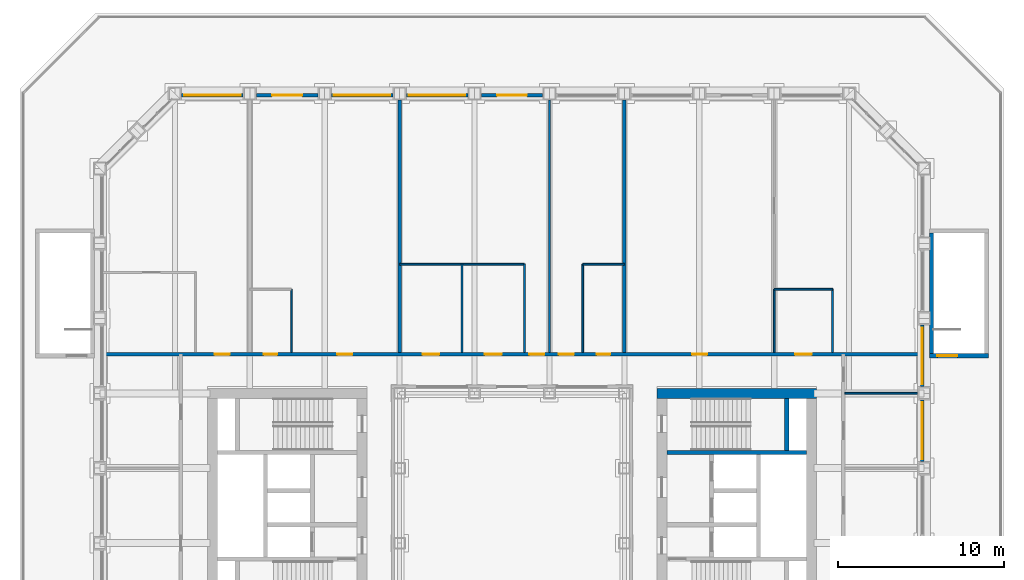
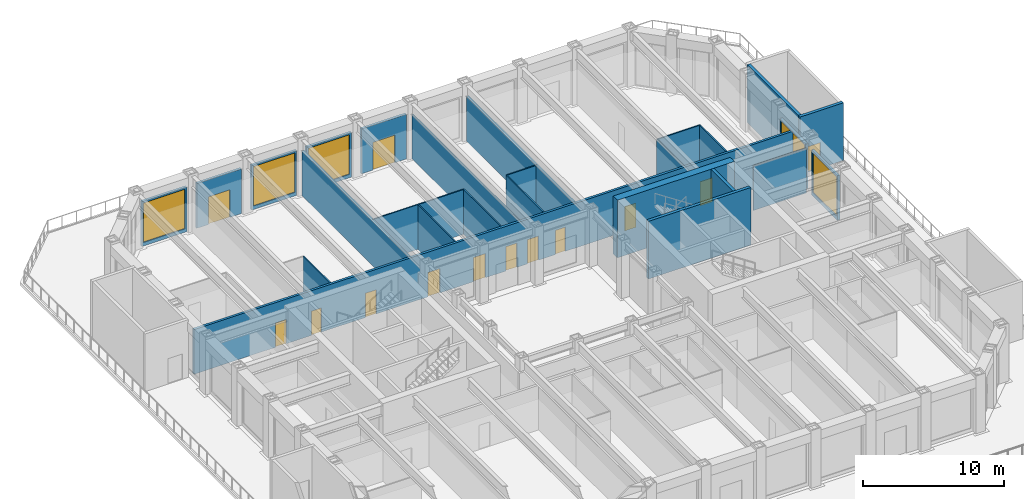
# One storey, part 13 of 18: 26 walls, 13 doors, 5 windows, 18 openings.
"""IFC4 building model written with IfcOpenShell, lengths in metres."""

from ifc_helpers import new_model, si_unit, direction, frame, frame_2d, origin, place, context, subcontext, project, spatial, rectangle, extrude, material, layer, layer_set, type_object, element, fill, save


model = new_model("IFC4")

# Units and contexts
model_context = context("Model", 3, precision=1e-05, world=origin(), true_north=direction((0.0, 1.0)))
body_context = subcontext(model_context, "Body", "Model", "MODEL_VIEW")
ifc_project = project(units=[si_unit("LENGTHUNIT", "METRE"), si_unit("AREAUNIT", "SQUARE_METRE"), si_unit("VOLUMEUNIT", "CUBIC_METRE"), si_unit("PLANEANGLEUNIT", "RADIAN"), si_unit("MASSUNIT", "GRAM", prefix="KILO")], contexts=[model_context])

# Site, building, storey
site_placement = place(None, origin())
site = spatial("IfcSite", under=ifc_project, at=site_placement, CompositionType="ELEMENT")
building_placement = place(site_placement, origin())
building = spatial("IfcBuilding", under=site, at=building_placement, Name="Msasa Ring Tower", CompositionType="ELEMENT")
storey_placement = place(building_placement, frame((0.0, 0.0, 21.5)))
storey = spatial("IfcBuildingStorey", under=building, at=storey_placement, Name="L04", CompositionType="ELEMENT", Elevation=21.5)

# Walls
ifc_material_1 = material(Name="Concrete C60/75", Category="concrete")
ifc_layer_1 = layer(ifc_material_1, 0.60009765625)
ifc_layer_set_1 = layer_set([ifc_layer_1], Name="CW1 CORE WALL 600")
wall_type_1 = type_object("IfcWallType", Name="CW1 CORE WALL 600", PredefinedType="SHEAR", material=ifc_layer_set_1)
wall_1_placement = place(storey_placement, frame((8.699951171875, 6.75, 0.0), z_axis=(0.0, 0.0, 1.0), x_axis=(1.0, 0.0, 0.0)))
element("IfcWall", 1, at=wall_1_placement, inside=storey, type_object=wall_type_1, Name="E core wall N L04", PredefinedType="SHEAR", context=body_context, shape_type="SweptSolid", body=[
    extrude(rectangle(XDim=9.60009765625, YDim=0.60009765625, at=frame_2d((4.800048828125, 0.0))), origin(), (0.0, 0.0, 1.0), 5.0),
])
ifc_material_2 = material(Name="Concrete C60/75", Category="concrete")
ifc_layer_2 = layer(ifc_material_2, 0.25)
ifc_layer_set_2 = layer_set([ifc_layer_2], Name="CW4 CORE INNER WALL 250")
wall_type_2 = type_object("IfcWallType", Name="CW4 CORE INNER WALL 250", PredefinedType="SHEAR", material=ifc_layer_set_2)
wall_2_placement = place(storey_placement, frame((9.300048828125, 3.199951171875, 0.0), z_axis=(0.0, 0.0, 1.0), x_axis=(1.0, 0.0, 0.0)))
element("IfcWall", 2, at=wall_2_placement, inside=storey, type_object=wall_type_2, Name="E core wall STAIRB L04", PredefinedType="SHEAR", context=body_context, shape_type="SweptSolid", body=[
    extrude(rectangle(XDim=8.39990234375, YDim=0.25, at=frame_2d((4.199951171875, 0.0))), origin(), (0.0, 0.0, 1.0), 5.0),
])
wall_3_placement = place(storey_placement, frame((16.5, 3.324951171875, 0.0), z_axis=(0.0, 0.0, 1.0), x_axis=(0.0, 1.0, 0.0)))
element("IfcWall", 3, at=wall_3_placement, inside=storey, type_object=wall_type_2, Name="E core wall RISERB L04", PredefinedType="SHEAR", context=body_context, shape_type="SweptSolid", body=[
    extrude(rectangle(XDim=3.125, YDim=0.25, at=frame_2d((1.5625, 0.0))), origin(), (0.0, 0.0, 1.0), 5.0),
])

# Wall, opening, window
ifc_material_3 = material(Name="Terracotta rainscreen on blockwork", Category="masonry")
ifc_layer_3 = layer(ifc_material_3, 0.199951171875)
ifc_layer_set_3 = layer_set([ifc_layer_3], Name="FW1 TERRACOTTA-LINED INFILL BAY WALL 200")
wall_type_3 = type_object("IfcWallType", Name="FW1 TERRACOTTA-LINED INFILL BAY WALL 200", PredefinedType="SOLIDWALL", material=ifc_layer_set_3)
wall_4_placement = place(storey_placement, frame((24.64990234375, 2.655029296875, 0.0), z_axis=(0.0, 0.0, 1.0), x_axis=(0.0, 1.0, 0.0)))
wall_4 = element("IfcWall", 4, at=wall_4_placement, inside=storey, type_object=wall_type_3, Name="Infill bay wall E L04 16", PredefinedType="SOLIDWALL", context=body_context, shape_type="SweptSolid", body=[
    extrude(rectangle(XDim=3.68994140625, YDim=0.199951171875, at=frame_2d((1.844970703125, 0.0))), origin(), (0.0, 0.0, 1.0), 3.87890625),
])
opening_1_placement = place(wall_4_placement, frame((0.14501953125, 0.0, 0.300048828125)))
opening_1 = element("IfcOpeningElement", 5, at=opening_1_placement, cuts=wall_4, Name="Opening WN4", PredefinedType="OPENING", context=body_context, shape_type="SweptSolid", body=[
    extrude(rectangle(XDim=3.39990234375, YDim=3.428955078125, at=frame_2d((1.699951171875, 1.71435546875))), frame((0.0, 0.10986328125, 0.0), z_axis=(0.0, -1.0, 0.0), x_axis=(1.0, 0.0, 0.0)), (0.0, 0.0, 1.0), 0.219970703125),
])
ifc_material_4 = material(Name="Aluminium frame with clear glass", Category="aluminium")
window_type = type_object("IfcWindowType", Name="WN4 AMENITY WINDOW 3400x3429", PartitioningType="SINGLE_PANEL", PredefinedType="WINDOW", material=ifc_material_4)
window_1_placement = place(opening_1_placement, origin())
window_1 = element("IfcWindow", 6, at=window_1_placement, inside=storey, type_object=window_type, Name="Window E L04 16", OverallHeight=3.428955078125, OverallWidth=3.39990234375, PartitioningType="SINGLE_PANEL", PredefinedType="WINDOW", context=body_context, shape_type="SweptSolid", body=[
    extrude(rectangle(XDim=3.39990234375, YDim=3.428955078125, at=frame_2d((1.699951171875, 1.71435546875))), frame((0.0, 0.030029296875, 0.0), z_axis=(0.0, -1.0, 0.0), x_axis=(1.0, 0.0, 0.0)), (0.0, 0.0, 1.0), 0.06005859375),
])
fill(opening_1, window_1)

wall_5_placement = place(storey_placement, frame((24.64990234375, 7.155029296875, 0.0), z_axis=(0.0, 0.0, 1.0), x_axis=(0.0, 1.0, 0.0)))
wall_5 = element("IfcWall", 7, at=wall_5_placement, inside=storey, type_object=wall_type_3, Name="Infill bay wall E L04 17", PredefinedType="SOLIDWALL", context=body_context, shape_type="SweptSolid", body=[
    extrude(rectangle(XDim=3.68994140625, YDim=0.199951171875, at=frame_2d((1.844970703125, 0.0))), origin(), (0.0, 0.0, 1.0), 3.87890625),
])
opening_2_placement = place(wall_5_placement, frame((0.14501953125, 0.0, 0.300048828125)))
opening_2 = element("IfcOpeningElement", 8, at=opening_2_placement, cuts=wall_5, Name="Opening WN4", PredefinedType="OPENING", context=body_context, shape_type="SweptSolid", body=[
    extrude(rectangle(XDim=3.39990234375, YDim=3.428955078125, at=frame_2d((1.699951171875, 1.71435546875))), frame((0.0, 0.10986328125, 0.0), z_axis=(0.0, -1.0, 0.0), x_axis=(1.0, 0.0, 0.0)), (0.0, 0.0, 1.0), 0.219970703125),
])
window_2_placement = place(opening_2_placement, origin())
window_2 = element("IfcWindow", 9, at=window_2_placement, inside=storey, type_object=window_type, Name="Window E L04 17", OverallHeight=3.428955078125, OverallWidth=3.39990234375, PartitioningType="SINGLE_PANEL", PredefinedType="WINDOW", context=body_context, shape_type="SweptSolid", body=[
    extrude(rectangle(XDim=3.39990234375, YDim=3.428955078125, at=frame_2d((1.699951171875, 1.71435546875))), frame((0.0, 0.030029296875, 0.0), z_axis=(0.0, -1.0, 0.0), x_axis=(1.0, 0.0, 0.0)), (0.0, 0.0, 1.0), 0.06005859375),
])
fill(opening_2, window_2)

wall_6_placement = place(storey_placement, frame((-19.844970703125, 24.64990234375, 0.0), z_axis=(0.0, 0.0, 1.0), x_axis=(1.0, 0.0, 0.0)))
wall_6 = element("IfcWall", 10, at=wall_6_placement, inside=storey, type_object=wall_type_3, Name="Infill bay wall N L04 22", PredefinedType="SOLIDWALL", context=body_context, shape_type="SweptSolid", body=[
    extrude(rectangle(XDim=3.68994140625, YDim=0.199951171875, at=frame_2d((1.844970703125, 0.0))), origin(), (0.0, 0.0, 1.0), 3.87890625),
])
opening_3_placement = place(wall_6_placement, frame((0.14501953125, 0.0, 0.300048828125)))
opening_3 = element("IfcOpeningElement", 11, at=opening_3_placement, cuts=wall_6, Name="Opening WN4", PredefinedType="OPENING", context=body_context, shape_type="SweptSolid", body=[
    extrude(rectangle(XDim=3.39990234375, YDim=3.428955078125, at=frame_2d((1.699951171875, 1.71435546875))), frame((0.0, 0.10986328125, 0.0), z_axis=(0.0, -1.0, 0.0), x_axis=(1.0, 0.0, 0.0)), (0.0, 0.0, 1.0), 0.219970703125),
])
window_3_placement = place(opening_3_placement, origin())
window_3 = element("IfcWindow", 12, at=window_3_placement, inside=storey, type_object=window_type, Name="Window N L04 22", OverallHeight=3.428955078125, OverallWidth=3.39990234375, PartitioningType="SINGLE_PANEL", PredefinedType="WINDOW", context=body_context, shape_type="SweptSolid", body=[
    extrude(rectangle(XDim=3.39990234375, YDim=3.428955078125, at=frame_2d((1.699951171875, 1.71435546875))), frame((0.0, 0.030029296875, 0.0), z_axis=(0.0, -1.0, 0.0), x_axis=(1.0, 0.0, 0.0)), (0.0, 0.0, 1.0), 0.06005859375),
])
fill(opening_3, window_3)

# Wall, opening, door
wall_7_placement = place(storey_placement, frame((-15.344970703125, 24.64990234375, 0.0), z_axis=(0.0, 0.0, 1.0), x_axis=(1.0, 0.0, 0.0)))
wall_7 = element("IfcWall", 13, at=wall_7_placement, inside=storey, type_object=wall_type_3, Name="Infill bay wall N L04 23", PredefinedType="SOLIDWALL", context=body_context, shape_type="SweptSolid", body=[
    extrude(rectangle(XDim=3.68994140625, YDim=0.199951171875, at=frame_2d((1.844970703125, 0.0))), origin(), (0.0, 0.0, 1.0), 3.87890625),
])
opening_4_placement = place(wall_7_placement, frame((0.945068359375, 0.0, 0.0)))
opening_4 = element("IfcOpeningElement", 14, at=opening_4_placement, cuts=wall_7, Name="Opening L04-001", PredefinedType="OPENING", context=body_context, shape_type="SweptSolid", body=[
    extrude(rectangle(XDim=1.800048828125, YDim=2.39990234375, at=frame_2d((0.89990234375, 1.199951171875))), frame((0.0, 0.10986328125, 0.0), z_axis=(0.0, -1.0, 0.0), x_axis=(1.0, 0.0, 0.0)), (0.0, 0.0, 1.0), 0.219970703125),
])
ifc_material_5 = material(Name="Aluminium frame with clear glass", Category="aluminium")
door_type_1 = type_object("IfcDoorType", Name="ED1 TERRACE DOOR 1800x2400", OperationType="DOUBLE_DOOR_SINGLE_SWING", PredefinedType="DOOR", material=ifc_material_5)
door_1_placement = place(opening_4_placement, origin())
door_1 = element("IfcDoor", 15, at=door_1_placement, inside=storey, type_object=door_type_1, Name="Terrace door N L04", OperationType="DOUBLE_DOOR_SINGLE_SWING", OverallHeight=2.39990234375, OverallWidth=1.800048828125, PredefinedType="DOOR", context=body_context, shape_type="SweptSolid", body=[
    extrude(rectangle(XDim=1.800048828125, YDim=2.39990234375, at=frame_2d((0.89990234375, 1.199951171875))), frame((0.0, 0.02490234375, 0.0), z_axis=(0.0, -1.0, 0.0), x_axis=(1.0, 0.0, 0.0)), (0.0, 0.0, 1.0), 0.050048828125),
])
fill(opening_4, door_1)

# Wall, opening, window
wall_8_placement = place(storey_placement, frame((-10.844970703125, 24.64990234375, 0.0), z_axis=(0.0, 0.0, 1.0), x_axis=(1.0, 0.0, 0.0)))
wall_8 = element("IfcWall", 16, at=wall_8_placement, inside=storey, type_object=wall_type_3, Name="Infill bay wall N L04 24", PredefinedType="SOLIDWALL", context=body_context, shape_type="SweptSolid", body=[
    extrude(rectangle(XDim=3.68994140625, YDim=0.199951171875, at=frame_2d((1.844970703125, 0.0))), origin(), (0.0, 0.0, 1.0), 3.87890625),
])
opening_5_placement = place(wall_8_placement, frame((0.14501953125, 0.0, 0.300048828125)))
opening_5 = element("IfcOpeningElement", 17, at=opening_5_placement, cuts=wall_8, Name="Opening WN4", PredefinedType="OPENING", context=body_context, shape_type="SweptSolid", body=[
    extrude(rectangle(XDim=3.39990234375, YDim=3.428955078125, at=frame_2d((1.699951171875, 1.71435546875))), frame((0.0, 0.10986328125, 0.0), z_axis=(0.0, -1.0, 0.0), x_axis=(1.0, 0.0, 0.0)), (0.0, 0.0, 1.0), 0.219970703125),
])
window_4_placement = place(opening_5_placement, origin())
window_4 = element("IfcWindow", 18, at=window_4_placement, inside=storey, type_object=window_type, Name="Window N L04 24", OverallHeight=3.428955078125, OverallWidth=3.39990234375, PartitioningType="SINGLE_PANEL", PredefinedType="WINDOW", context=body_context, shape_type="SweptSolid", body=[
    extrude(rectangle(XDim=3.39990234375, YDim=3.428955078125, at=frame_2d((1.699951171875, 1.71435546875))), frame((0.0, 0.030029296875, 0.0), z_axis=(0.0, -1.0, 0.0), x_axis=(1.0, 0.0, 0.0)), (0.0, 0.0, 1.0), 0.06005859375),
])
fill(opening_5, window_4)

wall_9_placement = place(storey_placement, frame((-6.344970703125, 24.64990234375, 0.0), z_axis=(0.0, 0.0, 1.0), x_axis=(1.0, 0.0, 0.0)))
wall_9 = element("IfcWall", 19, at=wall_9_placement, inside=storey, type_object=wall_type_3, Name="Infill bay wall N L04 25", PredefinedType="SOLIDWALL", context=body_context, shape_type="SweptSolid", body=[
    extrude(rectangle(XDim=3.68994140625, YDim=0.199951171875, at=frame_2d((1.844970703125, 0.0))), origin(), (0.0, 0.0, 1.0), 3.87890625),
])
opening_6_placement = place(wall_9_placement, frame((0.14501953125, 0.0, 0.300048828125)))
opening_6 = element("IfcOpeningElement", 20, at=opening_6_placement, cuts=wall_9, Name="Opening WN4", PredefinedType="OPENING", context=body_context, shape_type="SweptSolid", body=[
    extrude(rectangle(XDim=3.39990234375, YDim=3.428955078125, at=frame_2d((1.699951171875, 1.71435546875))), frame((0.0, 0.10986328125, 0.0), z_axis=(0.0, -1.0, 0.0), x_axis=(1.0, 0.0, 0.0)), (0.0, 0.0, 1.0), 0.219970703125),
])
window_5_placement = place(opening_6_placement, origin())
window_5 = element("IfcWindow", 21, at=window_5_placement, inside=storey, type_object=window_type, Name="Window N L04 25", OverallHeight=3.428955078125, OverallWidth=3.39990234375, PartitioningType="SINGLE_PANEL", PredefinedType="WINDOW", context=body_context, shape_type="SweptSolid", body=[
    extrude(rectangle(XDim=3.39990234375, YDim=3.428955078125, at=frame_2d((1.699951171875, 1.71435546875))), frame((0.0, 0.030029296875, 0.0), z_axis=(0.0, -1.0, 0.0), x_axis=(1.0, 0.0, 0.0)), (0.0, 0.0, 1.0), 0.06005859375),
])
fill(opening_6, window_5)

# Wall, opening, door
wall_10_placement = place(storey_placement, frame((-1.844970703125, 24.64990234375, 0.0), z_axis=(0.0, 0.0, 1.0), x_axis=(1.0, 0.0, 0.0)))
wall_10 = element("IfcWall", 22, at=wall_10_placement, inside=storey, type_object=wall_type_3, Name="Infill bay wall N L04 26", PredefinedType="SOLIDWALL", context=body_context, shape_type="SweptSolid", body=[
    extrude(rectangle(XDim=3.68994140625, YDim=0.199951171875, at=frame_2d((1.844970703125, 0.0))), origin(), (0.0, 0.0, 1.0), 3.87890625),
])
opening_7_placement = place(wall_10_placement, frame((0.945068359375, 0.0, 0.0)))
opening_7 = element("IfcOpeningElement", 23, at=opening_7_placement, cuts=wall_10, Name="Opening L04-002", PredefinedType="OPENING", context=body_context, shape_type="SweptSolid", body=[
    extrude(rectangle(XDim=1.800048828125, YDim=2.39990234375, at=frame_2d((0.89990234375, 1.199951171875))), frame((0.0, 0.10986328125, 0.0), z_axis=(0.0, -1.0, 0.0), x_axis=(1.0, 0.0, 0.0)), (0.0, 0.0, 1.0), 0.219970703125),
])
door_2_placement = place(opening_7_placement, origin())
door_2 = element("IfcDoor", 24, at=door_2_placement, inside=storey, type_object=door_type_1, Name="Terrace door N L04", OperationType="DOUBLE_DOOR_SINGLE_SWING", OverallHeight=2.39990234375, OverallWidth=1.800048828125, PredefinedType="DOOR", context=body_context, shape_type="SweptSolid", body=[
    extrude(rectangle(XDim=1.800048828125, YDim=2.39990234375, at=frame_2d((0.89990234375, 1.199951171875))), frame((0.0, 0.02490234375, 0.0), z_axis=(0.0, -1.0, 0.0), x_axis=(1.0, 0.0, 0.0)), (0.0, 0.0, 1.0), 0.050048828125),
])
fill(opening_7, door_2)

# Wall, openings, doors
ifc_material_6 = material(Name="Concrete blockwork", Category="masonry")
ifc_layer_4 = layer(ifc_material_6, 0.199951171875)
ifc_layer_set_4 = layer_set([ifc_layer_4], Name="PT1 CORRIDOR WALL 200")
wall_type_4 = type_object("IfcWallType", Name="PT1 CORRIDOR WALL 200", PredefinedType="PARTITIONING", material=ifc_layer_set_4)
wall_11_placement = place(storey_placement, frame((-24.550048828125, 9.10009765625, 0.0), z_axis=(0.0, 0.0, 1.0), x_axis=(1.0, 0.0, 0.0)))
wall_11 = element("IfcWall", 25, at=wall_11_placement, inside=storey, type_object=wall_type_4, Name="Corridor wall L04-CORRN0", PredefinedType="PARTITIONING", context=body_context, shape_type="SweptSolid", body=[
    extrude(rectangle(XDim=49.10009765625, YDim=0.199951171875, at=frame_2d((24.550048828125, 0.0))), origin(), (0.0, 0.0, 1.0), 3.873291015625),
])
opening_8_placement = place(wall_11_placement, frame((6.684326171875, 0.0, 0.0)))
opening_8 = element("IfcOpeningElement", 26, at=opening_8_placement, cuts=wall_11, Name="Opening L04-006", PredefinedType="OPENING", context=body_context, shape_type="SweptSolid", body=[
    extrude(rectangle(XDim=0.89990234375, YDim=2.10009765625, at=frame_2d((0.449951171875, 1.050048828125))), frame((0.0, 0.10986328125, 0.0), z_axis=(0.0, -1.0, 0.0), x_axis=(1.0, 0.0, 0.0)), (0.0, 0.0, 1.0), 0.219970703125),
])
opening_9_placement = place(wall_11_placement, frame((14.06005859375, 0.0, 0.0)))
opening_9 = element("IfcOpeningElement", 27, at=opening_9_placement, cuts=wall_11, Name="Opening L04-008", PredefinedType="OPENING", context=body_context, shape_type="SweptSolid", body=[
    extrude(rectangle(XDim=0.89990234375, YDim=2.10009765625, at=frame_2d((0.449951171875, 1.050048828125))), frame((0.0, 0.10986328125, 0.0), z_axis=(0.0, -1.0, 0.0), x_axis=(1.0, 0.0, 0.0)), (0.0, 0.0, 1.0), 0.219970703125),
])
opening_10_placement = place(wall_11_placement, frame((9.64990234375, 0.0, 0.0)))
opening_10 = element("IfcOpeningElement", 28, at=opening_10_placement, cuts=wall_11, Name="Opening L04-007", PredefinedType="OPENING", context=body_context, shape_type="SweptSolid", body=[
    extrude(rectangle(XDim=0.800048828125, YDim=2.10009765625, at=frame_2d((0.39990234375, 1.050048828125))), frame((0.0, 0.10986328125, 0.0), z_axis=(0.0, -1.0, 0.0), x_axis=(1.0, 0.0, 0.0)), (0.0, 0.0, 1.0), 0.219970703125),
])
opening_11_placement = place(wall_11_placement, frame((25.592041015625, 0.0, 0.0)))
opening_11 = element("IfcOpeningElement", 29, at=opening_11_placement, cuts=wall_11, Name="Opening L04-011", PredefinedType="OPENING", context=body_context, shape_type="SweptSolid", body=[
    extrude(rectangle(XDim=0.89990234375, YDim=2.10009765625, at=frame_2d((0.449951171875, 1.050048828125))), frame((0.0, 0.10986328125, 0.0), z_axis=(0.0, -1.0, 0.0), x_axis=(1.0, 0.0, 0.0)), (0.0, 0.0, 1.0), 0.219970703125),
])
opening_12_placement = place(wall_11_placement, frame((27.367919921875, 0.0, 0.0)))
opening_12 = element("IfcOpeningElement", 30, at=opening_12_placement, cuts=wall_11, Name="Opening L04-012", PredefinedType="OPENING", context=body_context, shape_type="SweptSolid", body=[
    extrude(rectangle(XDim=0.89990234375, YDim=2.10009765625, at=frame_2d((0.449951171875, 1.050048828125))), frame((0.0, 0.10986328125, 0.0), z_axis=(0.0, -1.0, 0.0), x_axis=(1.0, 0.0, 0.0)), (0.0, 0.0, 1.0), 0.219970703125),
])
opening_13_placement = place(wall_11_placement, frame((19.175048828125, 0.0, 0.0)))
opening_13 = element("IfcOpeningElement", 31, at=opening_13_placement, cuts=wall_11, Name="Opening L04-009", PredefinedType="OPENING", context=body_context, shape_type="SweptSolid", body=[
    extrude(rectangle(XDim=1.0, YDim=2.10009765625, at=frame_2d((0.5, 1.050048828125))), frame((0.0, 0.10986328125, 0.0), z_axis=(0.0, -1.0, 0.0), x_axis=(1.0, 0.0, 0.0)), (0.0, 0.0, 1.0), 0.219970703125),
])
opening_14_placement = place(wall_11_placement, frame((22.925048828125, 0.0, 0.0)))
opening_14 = element("IfcOpeningElement", 32, at=opening_14_placement, cuts=wall_11, Name="Opening L04-010", PredefinedType="OPENING", context=body_context, shape_type="SweptSolid", body=[
    extrude(rectangle(XDim=1.0, YDim=2.10009765625, at=frame_2d((0.5, 1.050048828125))), frame((0.0, 0.10986328125, 0.0), z_axis=(0.0, -1.0, 0.0), x_axis=(1.0, 0.0, 0.0)), (0.0, 0.0, 1.0), 0.219970703125),
])
opening_15_placement = place(wall_11_placement, frame((29.64990234375, 0.0, 0.0)))
opening_15 = element("IfcOpeningElement", 33, at=opening_15_placement, cuts=wall_11, Name="Opening L04-013", PredefinedType="OPENING", context=body_context, shape_type="SweptSolid", body=[
    extrude(rectangle(XDim=0.800048828125, YDim=2.10009765625, at=frame_2d((0.39990234375, 1.050048828125))), frame((0.0, 0.10986328125, 0.0), z_axis=(0.0, -1.0, 0.0), x_axis=(1.0, 0.0, 0.0)), (0.0, 0.0, 1.0), 0.219970703125),
])
opening_16_placement = place(wall_11_placement, frame((35.375, 0.0, 0.0)))
opening_16 = element("IfcOpeningElement", 34, at=opening_16_placement, cuts=wall_11, Name="Opening L04-014", PredefinedType="OPENING", context=body_context, shape_type="SweptSolid", body=[
    extrude(rectangle(XDim=0.89990234375, YDim=2.10009765625, at=frame_2d((0.449951171875, 1.050048828125))), frame((0.0, 0.10986328125, 0.0), z_axis=(0.0, -1.0, 0.0), x_axis=(1.0, 0.0, 0.0)), (0.0, 0.0, 1.0), 0.219970703125),
])
opening_17_placement = place(wall_11_placement, frame((41.550048828125, 0.0, 0.0)))
opening_17 = element("IfcOpeningElement", 35, at=opening_17_placement, cuts=wall_11, Name="Opening L04-015", PredefinedType="OPENING", context=body_context, shape_type="SweptSolid", body=[
    extrude(rectangle(XDim=1.0, YDim=2.10009765625, at=frame_2d((0.5, 1.050048828125))), frame((0.0, 0.10986328125, 0.0), z_axis=(0.0, -1.0, 0.0), x_axis=(1.0, 0.0, 0.0)), (0.0, 0.0, 1.0), 0.219970703125),
])
ifc_material_7 = material(Name="Timber door leaf in a steel frame", Category="steel")
door_type_2 = type_object("IfcDoorType", Name="D1 SINGLE DOOR TO CORRIDOR 900x2100", OperationType="SINGLE_SWING_LEFT", PredefinedType="DOOR", material=ifc_material_7)
door_3_placement = place(opening_8_placement, origin())
door_3 = element("IfcDoor", 36, at=door_3_placement, inside=storey, type_object=door_type_2, Name="Door L04-AMN0F0", OperationType="SINGLE_SWING_LEFT", OverallHeight=2.10009765625, OverallWidth=0.89990234375, PredefinedType="DOOR", context=body_context, shape_type="SweptSolid", body=[
    extrude(rectangle(XDim=0.89990234375, YDim=2.10009765625, at=frame_2d((0.449951171875, 1.050048828125))), frame((0.0, 0.02490234375, 0.0), z_axis=(0.0, -1.0, 0.0), x_axis=(1.0, 0.0, 0.0)), (0.0, 0.0, 1.0), 0.050048828125),
])
fill(opening_8, door_3)
door_4_placement = place(opening_9_placement, origin())
door_4 = element("IfcDoor", 37, at=door_4_placement, inside=storey, type_object=door_type_2, Name="Door L04-AMN1F0", OperationType="SINGLE_SWING_LEFT", OverallHeight=2.10009765625, OverallWidth=0.89990234375, PredefinedType="DOOR", context=body_context, shape_type="SweptSolid", body=[
    extrude(rectangle(XDim=0.89990234375, YDim=2.10009765625, at=frame_2d((0.449951171875, 1.050048828125))), frame((0.0, 0.02490234375, 0.0), z_axis=(0.0, -1.0, 0.0), x_axis=(1.0, 0.0, 0.0)), (0.0, 0.0, 1.0), 0.050048828125),
])
fill(opening_9, door_4)
door_5_placement = place(opening_11_placement, origin())
door_5 = element("IfcDoor", 38, at=door_5_placement, inside=storey, type_object=door_type_2, Name="Door L04-AMN2F0", OperationType="SINGLE_SWING_RIGHT", OverallHeight=2.10009765625, OverallWidth=0.89990234375, PredefinedType="DOOR", context=body_context, shape_type="SweptSolid", body=[
    extrude(rectangle(XDim=0.89990234375, YDim=2.10009765625, at=frame_2d((0.449951171875, 1.050048828125))), frame((0.0, 0.02490234375, 0.0), z_axis=(0.0, -1.0, 0.0), x_axis=(1.0, 0.0, 0.0)), (0.0, 0.0, 1.0), 0.050048828125),
])
fill(opening_11, door_5)
door_6_placement = place(opening_12_placement, origin())
door_6 = element("IfcDoor", 39, at=door_6_placement, inside=storey, type_object=door_type_2, Name="Door L04-AMN2F1", OperationType="SINGLE_SWING_RIGHT", OverallHeight=2.10009765625, OverallWidth=0.89990234375, PredefinedType="DOOR", context=body_context, shape_type="SweptSolid", body=[
    extrude(rectangle(XDim=0.89990234375, YDim=2.10009765625, at=frame_2d((0.449951171875, 1.050048828125))), frame((0.0, 0.02490234375, 0.0), z_axis=(0.0, -1.0, 0.0), x_axis=(1.0, 0.0, 0.0)), (0.0, 0.0, 1.0), 0.050048828125),
])
fill(opening_12, door_6)
door_7_placement = place(opening_16_placement, origin())
door_7 = element("IfcDoor", 40, at=door_7_placement, inside=storey, type_object=door_type_2, Name="Door L04-AMN3F0", OperationType="SINGLE_SWING_RIGHT", OverallHeight=2.10009765625, OverallWidth=0.89990234375, PredefinedType="DOOR", context=body_context, shape_type="SweptSolid", body=[
    extrude(rectangle(XDim=0.89990234375, YDim=2.10009765625, at=frame_2d((0.449951171875, 1.050048828125))), frame((0.0, 0.02490234375, 0.0), z_axis=(0.0, -1.0, 0.0), x_axis=(1.0, 0.0, 0.0)), (0.0, 0.0, 1.0), 0.050048828125),
])
fill(opening_16, door_7)
ifc_material_8 = material(Name="Timber door leaf in a steel frame", Category="steel")
door_type_3 = type_object("IfcDoorType", Name="D10 STORE DOOR 1000x2100", OperationType="SINGLE_SWING_LEFT", PredefinedType="DOOR", material=ifc_material_8)
door_8_placement = place(opening_17_placement, origin())
door_8 = element("IfcDoor", 41, at=door_8_placement, inside=storey, type_object=door_type_3, Name="Door L04-AMN3B0", OperationType="SINGLE_SWING_RIGHT", OverallHeight=2.10009765625, OverallWidth=1.0, PredefinedType="DOOR", context=body_context, shape_type="SweptSolid", body=[
    extrude(rectangle(XDim=1.0, YDim=2.10009765625, at=frame_2d((0.5, 1.050048828125))), frame((0.0, 0.02490234375, 0.0), z_axis=(0.0, -1.0, 0.0), x_axis=(1.0, 0.0, 0.0)), (0.0, 0.0, 1.0), 0.050048828125),
])
fill(opening_17, door_8)
ifc_material_9 = material(Name="Timber door leaf in a steel frame", Category="steel")
door_type_4 = type_object("IfcDoorType", Name="D11 NARROW STORE DOOR 800x2100", OperationType="SINGLE_SWING_LEFT", PredefinedType="DOOR", material=ifc_material_9)
door_9_placement = place(opening_10_placement, origin())
door_9 = element("IfcDoor", 42, at=door_9_placement, inside=storey, type_object=door_type_4, Name="Door L04-AMN1B0", OperationType="SINGLE_SWING_LEFT", OverallHeight=2.10009765625, OverallWidth=0.800048828125, PredefinedType="DOOR", context=body_context, shape_type="SweptSolid", body=[
    extrude(rectangle(XDim=0.800048828125, YDim=2.10009765625, at=frame_2d((0.39990234375, 1.050048828125))), frame((0.0, 0.02490234375, 0.0), z_axis=(0.0, -1.0, 0.0), x_axis=(1.0, 0.0, 0.0)), (0.0, 0.0, 1.0), 0.050048828125),
])
fill(opening_10, door_9)
door_10_placement = place(opening_15_placement, origin())
door_10 = element("IfcDoor", 43, at=door_10_placement, inside=storey, type_object=door_type_4, Name="Door L04-AMN2B2", OperationType="SINGLE_SWING_RIGHT", OverallHeight=2.10009765625, OverallWidth=0.800048828125, PredefinedType="DOOR", context=body_context, shape_type="SweptSolid", body=[
    extrude(rectangle(XDim=0.800048828125, YDim=2.10009765625, at=frame_2d((0.39990234375, 1.050048828125))), frame((0.0, 0.02490234375, 0.0), z_axis=(0.0, -1.0, 0.0), x_axis=(1.0, 0.0, 0.0)), (0.0, 0.0, 1.0), 0.050048828125),
])
fill(opening_15, door_10)
ifc_material_10 = material(Name="Timber door leaf in a steel frame", Category="steel")
door_type_5 = type_object("IfcDoorType", Name="D12 WC DOOR 1000x2100", OperationType="SINGLE_SWING_LEFT", PredefinedType="DOOR", material=ifc_material_10)
door_11_placement = place(opening_13_placement, origin())
door_11 = element("IfcDoor", 44, at=door_11_placement, inside=storey, type_object=door_type_5, Name="Door L04-AMN2B0", OperationType="SINGLE_SWING_LEFT", OverallHeight=2.10009765625, OverallWidth=1.0, PredefinedType="DOOR", context=body_context, shape_type="SweptSolid", body=[
    extrude(rectangle(XDim=1.0, YDim=2.10009765625, at=frame_2d((0.5, 1.050048828125))), frame((0.0, 0.02490234375, 0.0), z_axis=(0.0, -1.0, 0.0), x_axis=(1.0, 0.0, 0.0)), (0.0, 0.0, 1.0), 0.050048828125),
])
fill(opening_13, door_11)
door_12_placement = place(opening_14_placement, origin())
door_12 = element("IfcDoor", 45, at=door_12_placement, inside=storey, type_object=door_type_5, Name="Door L04-AMN2B1", OperationType="SINGLE_SWING_LEFT", OverallHeight=2.10009765625, OverallWidth=1.0, PredefinedType="DOOR", context=body_context, shape_type="SweptSolid", body=[
    extrude(rectangle(XDim=1.0, YDim=2.10009765625, at=frame_2d((0.5, 1.050048828125))), frame((0.0, 0.02490234375, 0.0), z_axis=(0.0, -1.0, 0.0), x_axis=(1.0, 0.0, 0.0)), (0.0, 0.0, 1.0), 0.050048828125),
])
fill(opening_14, door_12)

# Walls
ifc_material_11 = material(Name="Gypsum board on steel studs", Category="steel")
ifc_layer_5 = layer(ifc_material_11, 0.10009765625)
ifc_layer_set_5 = layer_set([ifc_layer_5], Name="PT2 STUD PARTITION 100")
wall_type_5 = type_object("IfcWallType", Name="PT2 STUD PARTITION 100", PredefinedType="PARTITIONING", material=ifc_layer_set_5)
wall_12_placement = place(storey_placement, frame((-13.25, 9.199951171875, 0.0), z_axis=(0.0, 0.0, 1.0), x_axis=(0.0, 1.0, 0.0)))
element("IfcWall", 46, at=wall_12_placement, inside=storey, type_object=wall_type_5, Name="Partition L04-AMN1Y0", PredefinedType="PARTITIONING", context=body_context, shape_type="SweptSolid", body=[
    extrude(rectangle(XDim=3.800048828125, YDim=0.10009765625, at=frame_2d((1.89990234375, 0.0))), origin(), (0.0, 0.0, 1.0), 3.873291015625),
])
wall_13_placement = place(storey_placement, frame((-6.75, 14.5, 0.0), z_axis=(0.0, 0.0, 1.0), x_axis=(1.0, 0.0, 0.0)))
element("IfcWall", 47, at=wall_13_placement, inside=storey, type_object=wall_type_5, Name="Partition L04-AMN2X0", PredefinedType="PARTITIONING", context=body_context, shape_type="SweptSolid", body=[
    extrude(rectangle(XDim=7.5, YDim=0.10009765625, at=frame_2d((3.75, 0.0))), origin(), (0.0, 0.0, 1.0), 3.873291015625),
])
wall_14_placement = place(storey_placement, frame((4.25, 14.5, 0.0), z_axis=(0.0, 0.0, 1.0), x_axis=(1.0, 0.0, 0.0)))
element("IfcWall", 48, at=wall_14_placement, inside=storey, type_object=wall_type_5, Name="Partition L04-AMN2X1", PredefinedType="PARTITIONING", context=body_context, shape_type="SweptSolid", body=[
    extrude(rectangle(XDim=2.5, YDim=0.10009765625, at=frame_2d((1.25, 0.0))), origin(), (0.0, 0.0, 1.0), 3.873291015625),
])
for number, where, z_axis, x_axis, name in (
    (49, (-3.0, 9.199951171875, 0.0), (0.0, 0.0, 1.0), (0.0, 1.0, 0.0), "Partition L04-AMN2Y0"),
    (50, (0.75, 9.199951171875, 0.0), (0.0, 0.0, 1.0), (0.0, 1.0, 0.0), "Partition L04-AMN2Y1"),
    (51, (4.25, 9.199951171875, 0.0), (0.0, 0.0, 1.0), (0.0, 1.0, 0.0), "Partition L04-AMN2Y2"),
):
    element("IfcWall", number, at=place(storey_placement, frame(where, z_axis=z_axis, x_axis=x_axis)), inside=storey, type_object=wall_type_5, Name=name, PredefinedType="PARTITIONING", context=body_context, shape_type="SweptSolid", body=[
        extrude(rectangle(XDim=5.300048828125, YDim=0.10009765625, at=frame_2d((2.64990234375, 0.0))), origin(), (0.0, 0.0, 1.0), 3.873291015625),
    ])
wall_15_placement = place(storey_placement, frame((2.25, 9.199951171875, 0.0), z_axis=(0.0, 0.0, 1.0), x_axis=(0.0, 1.0, 0.0)))
element("IfcWall", 52, at=wall_15_placement, inside=storey, type_object=wall_type_5, Name="Partition L04-AMN2S0", PredefinedType="PARTITIONING", context=body_context, shape_type="SweptSolid", body=[
    extrude(rectangle(XDim=15.150146484375, YDim=0.10009765625, at=frame_2d((7.5751953125, 0.0))), origin(), (0.0, 0.0, 1.0), 3.873291015625),
])
wall_16_placement = place(storey_placement, frame((15.75, 13.0, 0.0), z_axis=(0.0, 0.0, 1.0), x_axis=(1.0, 0.0, 0.0)))
element("IfcWall", 53, at=wall_16_placement, inside=storey, type_object=wall_type_5, Name="Partition L04-AMN3X0", PredefinedType="PARTITIONING", context=body_context, shape_type="SweptSolid", body=[
    extrude(rectangle(XDim=3.5, YDim=0.10009765625, at=frame_2d((1.75, 0.0))), origin(), (0.0, 0.0, 1.0), 3.873291015625),
])
for number, where, z_axis, x_axis, name in (
    (54, (15.75, 9.199951171875, 0.0), (0.0, 0.0, 1.0), (0.0, 1.0, 0.0), "Partition L04-AMN3Y0"),
    (55, (19.25, 9.199951171875, 0.0), (0.0, 0.0, 1.0), (0.0, 1.0, 0.0), "Partition L04-AMN3Y1"),
):
    element("IfcWall", number, at=place(storey_placement, frame(where, z_axis=z_axis, x_axis=x_axis)), inside=storey, type_object=wall_type_5, Name=name, PredefinedType="PARTITIONING", context=body_context, shape_type="SweptSolid", body=[
        extrude(rectangle(XDim=3.800048828125, YDim=0.10009765625, at=frame_2d((1.89990234375, 0.0))), origin(), (0.0, 0.0, 1.0), 3.873291015625),
    ])
wall_17_placement = place(storey_placement, frame((20.0, 6.75, 0.0), z_axis=(0.0, 0.0, 1.0), x_axis=(1.0, 0.0, 0.0)))
element("IfcWall", 56, at=wall_17_placement, inside=storey, type_object=wall_type_5, Name="Partition L04-WCEX2", PredefinedType="PARTITIONING", context=body_context, shape_type="SweptSolid", body=[
    extrude(rectangle(XDim=4.35009765625, YDim=0.10009765625, at=frame_2d((2.175048828125, 0.0))), origin(), (0.0, 0.0, 1.0), 3.873291015625),
])
ifc_material_12 = material(Name="Dense concrete blockwork, plastered both faces", Category="masonry")
ifc_layer_6 = layer(ifc_material_12, 0.25)
ifc_layer_set_6 = layer_set([ifc_layer_6], Name="PT3 APARTMENT SEPARATING WALL 250")
wall_type_6 = type_object("IfcWallType", Name="PT3 APARTMENT SEPARATING WALL 250", PredefinedType="PARTITIONING", material=ifc_layer_set_6)
for number, where, z_axis, x_axis, name in (
    (57, (-6.75, 9.199951171875, 0.0), (0.0, 0.0, 1.0), (0.0, 1.0, 0.0), "Party wall L04-PWN-6.75"),
    (58, (6.75, 9.199951171875, 0.0), (0.0, 0.0, 1.0), (0.0, 1.0, 0.0), "Party wall L04-PWN+6.75"),
):
    element("IfcWall", number, at=place(storey_placement, frame(where, z_axis=z_axis, x_axis=x_axis)), inside=storey, type_object=wall_type_6, Name=name, PredefinedType="PARTITIONING", context=body_context, shape_type="SweptSolid", body=[
        extrude(rectangle(XDim=15.150146484375, YDim=0.199951171875, at=frame_2d((7.5751953125, 0.0))), origin(), (0.0, 0.0, 1.0), 3.873291015625),
    ])

# Wall, opening, door
ifc_material_13 = material(Name="Concrete C60/75", Category="concrete")
ifc_layer_7 = layer(ifc_material_13, 0.25)
ifc_layer_set_7 = layer_set([ifc_layer_7], Name="SW1 STAIR WALL 250")
wall_type_7 = type_object("IfcWallType", Name="SW1 STAIR WALL 250", PredefinedType="SHEAR", material=ifc_layer_set_7)
wall_18_placement = place(storey_placement, frame((25.074951171875, 9.0, 0.0), z_axis=(0.0, 0.0, 1.0), x_axis=(1.0, 0.0, 0.0)))
wall_18 = element("IfcWall", 59, at=wall_18_placement, inside=storey, type_object=wall_type_7, Name="Podium stair EN wall S L04", PredefinedType="SHEAR", context=body_context, shape_type="SweptSolid", body=[
    extrude(rectangle(XDim=3.550048828125, YDim=0.25, at=frame_2d((1.77490234375, 0.0))), origin(), (0.0, 0.0, 1.0), 5.0),
])
opening_18_placement = place(wall_18_placement, frame((0.47509765625, 0.0, 0.0)))
opening_18 = element("IfcOpeningElement", 60, at=opening_18_placement, cuts=wall_18, Name="Opening L04-017", PredefinedType="OPENING", context=body_context, shape_type="SweptSolid", body=[
    extrude(rectangle(XDim=1.199951171875, YDim=2.199951171875, at=frame_2d((0.60009765625, 1.10009765625))), frame((0.0, 0.135009765625, 0.0), z_axis=(0.0, -1.0, 0.0), x_axis=(1.0, 0.0, 0.0)), (0.0, 0.0, 1.0), 0.27001953125),
])
ifc_material_14 = material(Name="Aluminium frame with clear glass", Category="aluminium")
door_type_6 = type_object("IfcDoorType", Name="ED10 STAIR TERRACE DOOR 1200x2200", OperationType="SINGLE_SWING_LEFT", PredefinedType="DOOR", material=ifc_material_14)
door_13_placement = place(opening_18_placement, origin())
door_13 = element("IfcDoor", 61, at=door_13_placement, inside=storey, type_object=door_type_6, Name="Stair head-house door PEN", OperationType="SINGLE_SWING_LEFT", OverallHeight=2.199951171875, OverallWidth=1.199951171875, PredefinedType="DOOR", context=body_context, shape_type="SweptSolid", body=[
    extrude(rectangle(XDim=1.199951171875, YDim=2.199951171875, at=frame_2d((0.60009765625, 1.10009765625))), frame((0.0, 0.02490234375, 0.0), z_axis=(0.0, -1.0, 0.0), x_axis=(1.0, 0.0, 0.0)), (0.0, 0.0, 1.0), 0.050048828125),
])
fill(opening_18, door_13)

# Wall
wall_19_placement = place(storey_placement, frame((25.199951171875, 9.125, 0.0), z_axis=(0.0, 0.0, 1.0), x_axis=(0.0, 1.0, 0.0)))
element("IfcWall", 62, at=wall_19_placement, inside=storey, type_object=wall_type_7, Name="Podium stair EN wall W L04", PredefinedType="SHEAR", context=body_context, shape_type="SweptSolid", body=[
    extrude(rectangle(XDim=7.25, YDim=0.25, at=frame_2d((3.625, 0.0))), origin(), (0.0, 0.0, 1.0), 5.0),
])

save(model, "model.ifc")
